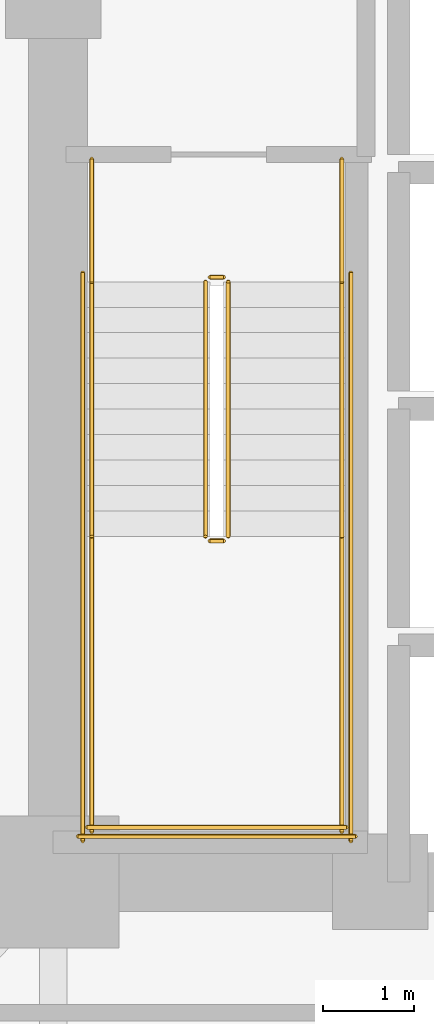
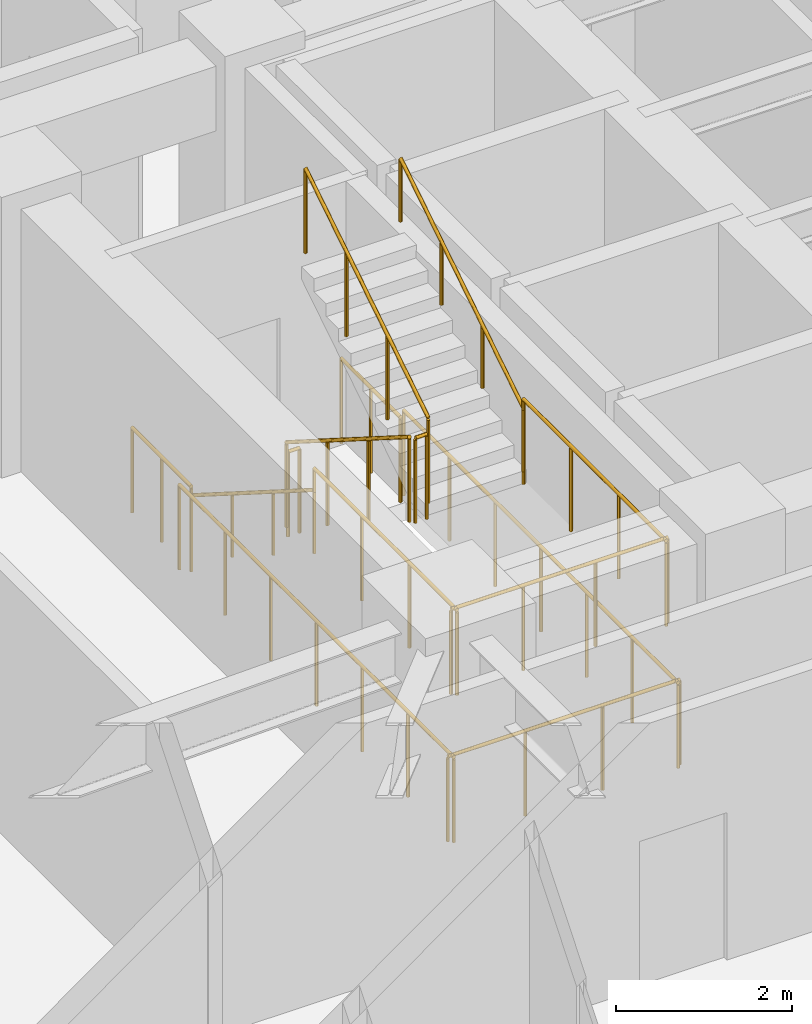
# One storey, part 11 of 12: 14 railings.
"""IFC4 building model written with IfcOpenShell, lengths in metres."""

from ifc_helpers import new_model, si_unit, direction, frame, origin, origin_2d, place, context, subcontext, project, spatial, circle, extrude, material, type_object, element, save


model = new_model("IFC4")

# Units and contexts
model_context = context("Model", 3, precision=1e-05, world=origin(), true_north=direction((0.0, 1.0)))
body_context = subcontext(model_context, "Body", "Model", "MODEL_VIEW")
ifc_project = project(units=[si_unit("LENGTHUNIT", "METRE"), si_unit("AREAUNIT", "SQUARE_METRE"), si_unit("VOLUMEUNIT", "CUBIC_METRE"), si_unit("PLANEANGLEUNIT", "RADIAN"), si_unit("MASSUNIT", "GRAM", prefix="KILO")], contexts=[model_context])

# Site, building, storey
site_placement = place(None, origin())
site = spatial("IfcSite", under=ifc_project, at=site_placement, CompositionType="ELEMENT")
building_placement = place(site_placement, origin())
building = spatial("IfcBuilding", under=site, at=building_placement, Name="Voryun Gate Residences", CompositionType="ELEMENT")
storey_placement = place(building_placement, frame((0.0, 0.0, 72.800048828125)))
storey = spatial("IfcBuildingStorey", under=building, at=storey_placement, Name="L17", CompositionType="ELEMENT", Elevation=72.800048828125)

# Railings
ifc_material_1 = material(Name="Painted steel", Category="steel")
railing_type_1 = type_object("IfcRailingType", Name="RAIL_STAIR_GUARD_1200", PredefinedType="GUARDRAIL", material=ifc_material_1)
railing_1_placement = place(storey_placement, frame((-17.52490234375, -0.800048828125, 0.17724609375)))
element("IfcRailing", 1, at=railing_1_placement, inside=storey, type_object=railing_type_1, Name="L17 ST-W1 stair guard 1", PredefinedType="GUARDRAIL", context=body_context, shape_type="SweptSolid", body=[
    extrude(circle(Radius=0.02392578125, at=origin_2d()), frame((0.0, 0.0, 1.17578125), z_axis=(0.0, -0.844908973607, 0.534910110503), x_axis=(1.0, 0.0, 0.0)), (0.0, 0.0, 1.0), 3.31396484375),
    extrude(circle(Radius=0.02099609375, at=origin_2d()), origin(), (0.0, 0.0, 1.0), 1.15185546875),
    extrude(circle(Radius=0.02099609375, at=origin_2d()), frame((0.0, -0.933349609375, 0.5908203125)), (0.0, 0.0, 1.0), 1.15185546875),
    extrude(circle(Radius=0.02099609375, at=origin_2d()), frame((0.0, -1.86669921875, 1.181884765625)), (0.0, 0.0, 1.0), 1.15185546875),
    extrude(circle(Radius=0.02099609375, at=origin_2d()), frame((0.0, -2.800048828125, 1.772705078125)), (0.0, 0.0, 1.0), 1.15185546875),
])
railing_2_placement = place(storey_placement, frame((-17.47509765625, -3.64990234375, 1.949951171875)))
element("IfcRailing", 2, at=railing_2_placement, inside=storey, type_object=railing_type_1, Name="L17 ST-W1 stair guard 2", PredefinedType="GUARDRAIL", context=body_context, shape_type="SweptSolid", body=[
    extrude(circle(Radius=0.02392578125, at=origin_2d()), frame((0.0, 0.0, 1.17578125), z_axis=(1.0, 0.0, 0.0), x_axis=(0.0, 1.0, 0.0)), (0.0, 0.0, 1.0), 0.150146484375),
    extrude(circle(Radius=0.02099609375, at=origin_2d()), origin(), (0.0, 0.0, 1.0), 1.15185546875),
    extrude(circle(Radius=0.02099609375, at=origin_2d()), frame((0.150146484375, 0.0, 0.0)), (0.0, 0.0, 1.0), 1.15185546875),
])
for number, where, name in (
    (3, (-18.77490234375, -3.60009765625, 1.949951171875), "L17 ST-W1 stair guard 3"),
    (4, (-16.02490234375, -3.60009765625, 1.949951171875), "L17 ST-W1 stair guard 4"),
):
    element("IfcRailing", number, at=place(storey_placement, frame(where)), inside=storey, type_object=railing_type_1, Name=name, PredefinedType="GUARDRAIL", context=body_context, shape_type="SweptSolid", body=[
        extrude(circle(Radius=0.02392578125, at=origin_2d()), frame((0.0, 0.0, 1.17578125), z_axis=(0.0, -1.0, 0.0), x_axis=(1.0, 0.0, 0.0)), (0.0, 0.0, 1.0), 3.25),
        extrude(circle(Radius=0.02099609375, at=origin_2d()), origin(), (0.0, 0.0, 1.0), 1.15185546875),
        extrude(circle(Radius=0.02099609375, at=origin_2d()), frame((0.0, -1.083251953125, 0.0)), (0.0, 0.0, 1.0), 1.15185546875),
        extrude(circle(Radius=0.02099609375, at=origin_2d()), frame((0.0, -2.166748046875, 0.0)), (0.0, 0.0, 1.0), 1.15185546875),
        extrude(circle(Radius=0.02099609375, at=origin_2d()), frame((0.0, -3.25, 0.0)), (0.0, 0.0, 1.0), 1.15185546875),
    ])
railing_3_placement = place(storey_placement, frame((-18.824951171875, -6.800048828125, 1.949951171875)))
element("IfcRailing", 5, at=railing_3_placement, inside=storey, type_object=railing_type_1, Name="L17 ST-W1 stair guard 5", PredefinedType="GUARDRAIL", context=body_context, shape_type="SweptSolid", body=[
    extrude(circle(Radius=0.02392578125, at=origin_2d()), frame((0.0, 0.0, 1.17578125), z_axis=(1.0, 0.0, 0.0), x_axis=(0.0, 1.0, 0.0)), (0.0, 0.0, 1.0), 2.849853515625),
    extrude(circle(Radius=0.02099609375, at=origin_2d()), origin(), (0.0, 0.0, 1.0), 1.15185546875),
    extrude(circle(Radius=0.02099609375, at=origin_2d()), frame((0.949951171875, 0.0, 0.0)), (0.0, 0.0, 1.0), 1.15185546875),
    extrude(circle(Radius=0.02099609375, at=origin_2d()), frame((1.89990234375, 0.0, 0.0)), (0.0, 0.0, 1.0), 1.15185546875),
    extrude(circle(Radius=0.02099609375, at=origin_2d()), frame((2.849853515625, 0.0, 0.0)), (0.0, 0.0, 1.0), 1.15185546875),
])
railing_4_placement = place(storey_placement, frame((-17.27490234375, -3.60009765625, 2.127197265625)))
element("IfcRailing", 6, at=railing_4_placement, inside=storey, type_object=railing_type_1, Name="L17 ST-W1 stair guard 6", PredefinedType="GUARDRAIL", context=body_context, shape_type="SweptSolid", body=[
    extrude(circle(Radius=0.02392578125, at=origin_2d()), frame((0.0, 0.0, 1.17578125), z_axis=(0.0, 0.844908973607, 0.534910110503), x_axis=(-1.0, 0.0, 0.0)), (0.0, 0.0, 1.0), 3.31396484375),
    extrude(circle(Radius=0.02099609375, at=origin_2d()), origin(), (0.0, 0.0, 1.0), 1.15185546875),
    extrude(circle(Radius=0.02099609375, at=origin_2d()), frame((0.0, 0.933349609375, 0.5908203125)), (0.0, 0.0, 1.0), 1.15185546875),
    extrude(circle(Radius=0.02099609375, at=origin_2d()), frame((0.0, 1.86669921875, 1.181884765625)), (0.0, 0.0, 1.0), 1.15185546875),
    extrude(circle(Radius=0.02099609375, at=origin_2d()), frame((0.0, 2.800048828125, 1.772705078125)), (0.0, 0.0, 1.0), 1.15185546875),
])
railing_5_placement = place(storey_placement, frame((-17.47509765625, -0.75, 0.0)))
element("IfcRailing", 7, at=railing_5_placement, inside=storey, type_object=railing_type_1, Name="L17 ST-W1 stair guard 7", PredefinedType="GUARDRAIL", context=body_context, shape_type="SweptSolid", body=[
    extrude(circle(Radius=0.02392578125, at=origin_2d()), frame((0.0, 0.0, 1.17578125), z_axis=(1.0, 0.0, 0.0), x_axis=(0.0, 1.0, 0.0)), (0.0, 0.0, 1.0), 0.150146484375),
    extrude(circle(Radius=0.02099609375, at=origin_2d()), origin(), (0.0, 0.0, 1.0), 1.15185546875),
    extrude(circle(Radius=0.02099609375, at=origin_2d()), frame((0.150146484375, 0.0, 0.0)), (0.0, 0.0, 1.0), 1.15185546875),
])
for number, where, name in (
    (8, (-18.77490234375, 0.550048828125, 0.0), "L17 ST-W1 stair guard 8"),
    (9, (-16.02490234375, 0.550048828125, 0.0), "L17 ST-W1 stair guard 9"),
):
    element("IfcRailing", number, at=place(storey_placement, frame(where)), inside=storey, type_object=railing_type_1, Name=name, PredefinedType="GUARDRAIL", context=body_context, shape_type="SweptSolid", body=[
        extrude(circle(Radius=0.02392578125, at=origin_2d()), frame((0.0, 0.0, 1.17578125), z_axis=(0.0, -1.0, 0.0), x_axis=(1.0, 0.0, 0.0)), (0.0, 0.0, 1.0), 1.35009765625),
        extrude(circle(Radius=0.02099609375, at=origin_2d()), origin(), (0.0, 0.0, 1.0), 1.15185546875),
        extrude(circle(Radius=0.02099609375, at=origin_2d()), frame((0.0, -0.675048828125, 0.0)), (0.0, 0.0, 1.0), 1.15185546875),
        extrude(circle(Radius=0.02099609375, at=origin_2d()), frame((0.0, -1.35009765625, 0.0)), (0.0, 0.0, 1.0), 1.15185546875),
    ])
for number, where, name in (
    (10, (-18.875, -0.699951171875, 0.0), "L17 ST-W1 stair guard 10"),
    (11, (-15.925048828125, -0.699951171875, 0.0), "L17 ST-W1 stair guard 11"),
):
    element("IfcRailing", number, at=place(storey_placement, frame(where)), inside=storey, type_object=railing_type_1, Name=name, PredefinedType="GUARDRAIL", context=body_context, shape_type="SweptSolid", body=[
        extrude(circle(Radius=0.02392578125, at=origin_2d()), frame((0.0, 0.0, 1.17578125), z_axis=(0.0, -1.0, 0.0), x_axis=(1.0, 0.0, 0.0)), (0.0, 0.0, 1.0), 6.25),
        extrude(circle(Radius=0.02099609375, at=origin_2d()), origin(), (0.0, 0.0, 1.0), 1.15185546875),
        extrude(circle(Radius=0.02099609375, at=origin_2d()), frame((0.0, -1.041748046875, 0.0)), (0.0, 0.0, 1.0), 1.15185546875),
        extrude(circle(Radius=0.02099609375, at=origin_2d()), frame((0.0, -2.083251953125, 0.0)), (0.0, 0.0, 1.0), 1.15185546875),
        extrude(circle(Radius=0.02099609375, at=origin_2d()), frame((0.0, -3.125, 0.0)), (0.0, 0.0, 1.0), 1.15185546875),
        extrude(circle(Radius=0.02099609375, at=origin_2d()), frame((0.0, -4.166748046875, 0.0)), (0.0, 0.0, 1.0), 1.15185546875),
        extrude(circle(Radius=0.02099609375, at=origin_2d()), frame((0.0, -5.208251953125, 0.0)), (0.0, 0.0, 1.0), 1.15185546875),
        extrude(circle(Radius=0.02099609375, at=origin_2d()), frame((0.0, -6.25, 0.0)), (0.0, 0.0, 1.0), 1.15185546875),
    ])
railing_6_placement = place(storey_placement, frame((-18.925048828125, -6.89990234375, 0.0)))
element("IfcRailing", 12, at=railing_6_placement, inside=storey, type_object=railing_type_1, Name="L17 ST-W1 stair guard 12", PredefinedType="GUARDRAIL", context=body_context, shape_type="SweptSolid", body=[
    extrude(circle(Radius=0.02392578125, at=origin_2d()), frame((0.0, 0.0, 1.17578125), z_axis=(1.0, 0.0, 0.0), x_axis=(0.0, 1.0, 0.0)), (0.0, 0.0, 1.0), 3.050048828125),
    extrude(circle(Radius=0.02099609375, at=origin_2d()), origin(), (0.0, 0.0, 1.0), 1.15185546875),
    extrude(circle(Radius=0.02099609375, at=origin_2d()), frame((1.0166015625, 0.0, 0.0)), (0.0, 0.0, 1.0), 1.15185546875),
    extrude(circle(Radius=0.02099609375, at=origin_2d()), frame((2.033447265625, 0.0, 0.0)), (0.0, 0.0, 1.0), 1.15185546875),
    extrude(circle(Radius=0.02099609375, at=origin_2d()), frame((3.050048828125, 0.0, 0.0)), (0.0, 0.0, 1.0), 1.15185546875),
])
ifc_material_2 = material(Name="Painted steel", Category="steel")
railing_type_2 = type_object("IfcRailingType", Name="RAIL_STAIR_HANDRAIL_900", PredefinedType="HANDRAIL", material=ifc_material_2)
railing_7_placement = place(storey_placement, frame((-18.77490234375, -0.800048828125, 0.17724609375)))
element("IfcRailing", 13, at=railing_7_placement, inside=storey, type_object=railing_type_2, Name="L17 ST-W1 stair handrail 1", PredefinedType="HANDRAIL", context=body_context, shape_type="SweptSolid", body=[
    extrude(circle(Radius=0.02392578125, at=origin_2d()), frame((0.0, 0.0, 0.8759765625), z_axis=(0.0, -0.844908973607, 0.534910110503), x_axis=(1.0, 0.0, 0.0)), (0.0, 0.0, 1.0), 3.31396484375),
    extrude(circle(Radius=0.02099609375, at=origin_2d()), origin(), (0.0, 0.0, 1.0), 0.851806640625),
    extrude(circle(Radius=0.02099609375, at=origin_2d()), frame((0.0, -0.933349609375, 0.5908203125)), (0.0, 0.0, 1.0), 0.851806640625),
    extrude(circle(Radius=0.02099609375, at=origin_2d()), frame((0.0, -1.86669921875, 1.181884765625)), (0.0, 0.0, 1.0), 0.851806640625),
    extrude(circle(Radius=0.02099609375, at=origin_2d()), frame((0.0, -2.800048828125, 1.772705078125)), (0.0, 0.0, 1.0), 0.851806640625),
])
railing_8_placement = place(storey_placement, frame((-16.02490234375, -3.60009765625, 2.127197265625)))
element("IfcRailing", 14, at=railing_8_placement, inside=storey, type_object=railing_type_2, Name="L17 ST-W1 stair handrail 2", PredefinedType="HANDRAIL", context=body_context, shape_type="SweptSolid", body=[
    extrude(circle(Radius=0.02392578125, at=origin_2d()), frame((0.0, 0.0, 0.8759765625), z_axis=(0.0, 0.844908973607, 0.534910110503), x_axis=(-1.0, 0.0, 0.0)), (0.0, 0.0, 1.0), 3.31396484375),
    extrude(circle(Radius=0.02099609375, at=origin_2d()), origin(), (0.0, 0.0, 1.0), 0.851806640625),
    extrude(circle(Radius=0.02099609375, at=origin_2d()), frame((0.0, 0.933349609375, 0.5908203125)), (0.0, 0.0, 1.0), 0.851806640625),
    extrude(circle(Radius=0.02099609375, at=origin_2d()), frame((0.0, 1.86669921875, 1.181884765625)), (0.0, 0.0, 1.0), 0.851806640625),
    extrude(circle(Radius=0.02099609375, at=origin_2d()), frame((0.0, 2.800048828125, 1.772705078125)), (0.0, 0.0, 1.0), 0.851806640625),
])

save(model, "model.ifc")
